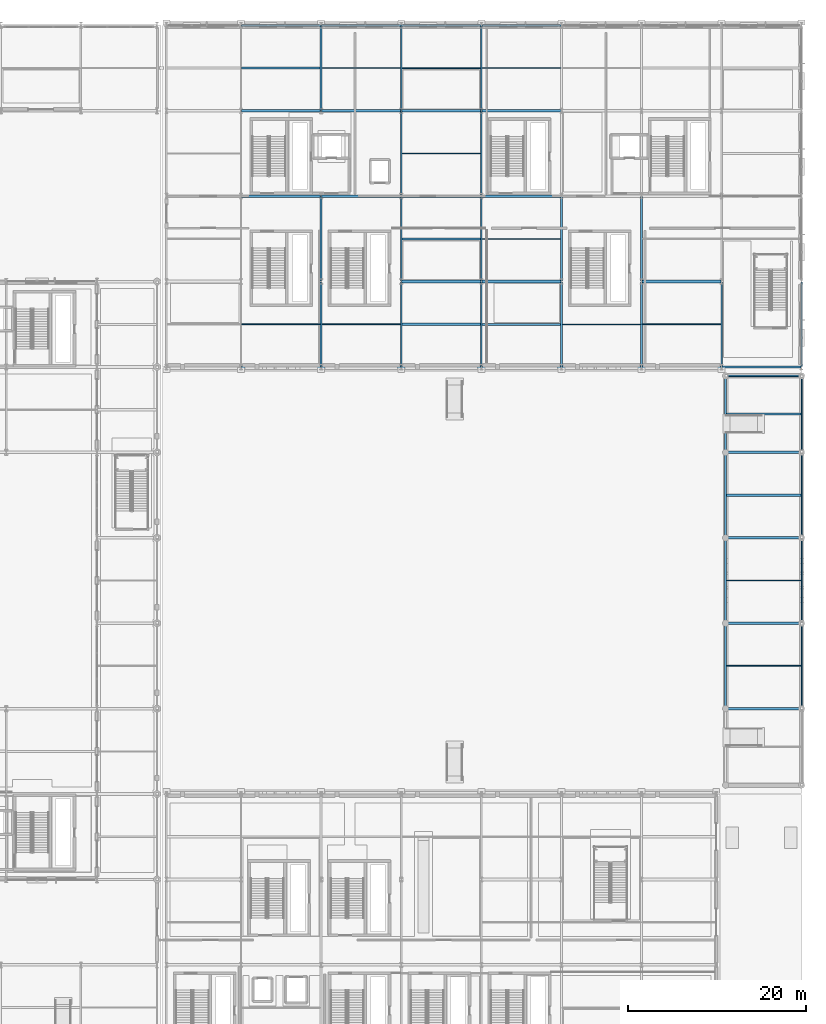
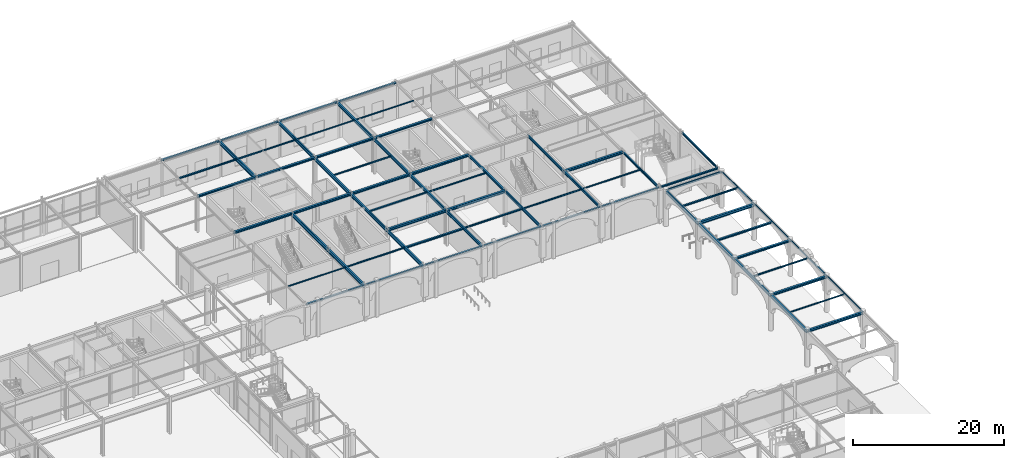
# One storey, part 46 of 113: 69 beams.
"""IFC4 building model written with IfcOpenShell, lengths in metres."""

from ifc_helpers import new_model, si_unit, direction, frame, origin, origin_2d, place, context, subcontext, project, spatial, hollow_rectangle, i_section, extrude, material, material_profile, profile_set, type_object, element, save


model = new_model("IFC4")

# Units and contexts
model_context = context("Model", 3, precision=1e-05, world=origin(), true_north=direction((0.0, 1.0)))
body_context = subcontext(model_context, "Body", "Model", "MODEL_VIEW")
ifc_project = project(units=[si_unit("LENGTHUNIT", "METRE"), si_unit("AREAUNIT", "SQUARE_METRE"), si_unit("VOLUMEUNIT", "CUBIC_METRE"), si_unit("PLANEANGLEUNIT", "RADIAN"), si_unit("MASSUNIT", "GRAM", prefix="KILO")], contexts=[model_context])

# Site, building, storey
site_placement = place(None, origin())
site = spatial("IfcSite", under=ifc_project, at=site_placement, CompositionType="ELEMENT")
building_placement = place(site_placement, origin())
building = spatial("IfcBuilding", under=site, at=building_placement, Name="Myrtia Square Station", CompositionType="ELEMENT")
storey_placement = place(building_placement, origin())
storey = spatial("IfcBuildingStorey", under=building, at=storey_placement, Name="L00", CompositionType="ELEMENT", Elevation=0.0)

# Beams
ifc_material = material(Name="Steel S355", Category="steel")
ifc_material_profile_1 = material_profile(ifc_material, i_section(OverallWidth=0.300048828125, OverallDepth=0.43994140625, WebThickness=0.011474609375, FlangeThickness=0.02099609375, FilletRadius=0.027099609375, at=origin_2d()), Name="HEA 450")
ifc_profile_set_1 = profile_set([ifc_material_profile_1], Name="Steel S355")
beam_type_1 = type_object("IfcBeamType", Name="BM-HEA450", PredefinedType="BEAM", material=ifc_profile_set_1)
beam_1_placement = place(storey_placement, frame((180.5, 76.800048828125, 5.544921875), z_axis=(1.0, 0.0, 0.0), x_axis=(0.0, 1.0, 0.0)))
element("IfcBeam", 1, at=beam_1_placement, inside=storey, type_object=beam_type_1, Name="Structural girder BMX-L00-0321", PredefinedType="BEAM", context=body_context, shape_type="SweptSolid", body=[
    extrude(i_section(OverallWidth=0.300048828125, OverallDepth=0.43994140625, WebThickness=0.011474609375, FlangeThickness=0.02099609375, FilletRadius=0.027099609375, at=origin_2d()), origin(), (0.0, 0.0, 1.0), 8.449951171875),
])
ifc_material_profile_2 = material_profile(ifc_material, i_section(OverallWidth=0.300048828125, OverallDepth=0.300048828125, WebThickness=0.010986328125, FlangeThickness=0.01904296875, FilletRadius=0.027099609375, at=origin_2d()), Name="HEB 300")
ifc_profile_set_2 = profile_set([ifc_material_profile_2], Name="Steel S355")
beam_type_2 = type_object("IfcBeamType", Name="BM-HEB300", PredefinedType="BEAM", material=ifc_profile_set_2)
beam_2_placement = place(storey_placement, frame((180.5, 67.199951171875, 5.614990234375), z_axis=(1.0, 0.0, 0.0), x_axis=(0.0, 1.0, 0.0)))
element("IfcBeam", 2, at=beam_2_placement, inside=storey, type_object=beam_type_2, Name="Structural girder BMX-L00-0320", PredefinedType="BEAM", context=body_context, shape_type="SweptSolid", body=[
    extrude(i_section(OverallWidth=0.300048828125, OverallDepth=0.300048828125, WebThickness=0.010986328125, FlangeThickness=0.01904296875, FilletRadius=0.027099609375, at=origin_2d()), origin(), (0.0, 0.0, 1.0), 8.449951171875),
])
for number, where, z_axis, x_axis, name in (
    (3, (126.050048828125, 115.199951171875, 5.60009765625), (1.0, 0.0, 0.0), (0.0, 1.0, 0.0), "Structural girder BMX-L00-0412"),
    (4, (135.050048828125, 115.199951171875, 5.60009765625), (1.0, 0.0, 0.0), (0.0, 1.0, 0.0), "Structural girder BMX-L00-0413"),
    (5, (144.050048828125, 115.199951171875, 5.60009765625), (1.0, 0.0, 0.0), (0.0, 1.0, 0.0), "Structural girder BMX-L00-0414"),
    (6, (153.050048828125, 115.199951171875, 5.60009765625), (1.0, 0.0, 0.0), (0.0, 1.0, 0.0), "Structural girder BMX-L00-0415"),
):
    element("IfcBeam", number, at=place(storey_placement, frame(where, z_axis=z_axis, x_axis=x_axis)), inside=storey, type_object=beam_type_2, Name=name, PredefinedType="BEAM", context=body_context, shape_type="SweptSolid", body=[
        extrude(i_section(OverallWidth=0.300048828125, OverallDepth=0.300048828125, WebThickness=0.010986328125, FlangeThickness=0.01904296875, FilletRadius=0.027099609375, at=origin_2d()), origin(), (0.0, 0.0, 1.0), 8.89990234375),
    ])
ifc_material_profile_3 = material_profile(ifc_material, i_section(OverallWidth=0.300048828125, OverallDepth=0.360107421875, WebThickness=0.012451171875, FlangeThickness=0.0224609375, FilletRadius=0.027099609375, at=origin_2d()), Name="HEB 360")
ifc_profile_set_3 = profile_set([ifc_material_profile_3], Name="Steel S355")
beam_type_3 = type_object("IfcBeamType", Name="BM-HEB360", PredefinedType="BEAM", material=ifc_profile_set_3)
beam_3_placement = place(storey_placement, frame((180.5, 57.60009765625, 5.5849609375), z_axis=(1.0, 0.0, 0.0), x_axis=(0.0, 1.0, 0.0)))
element("IfcBeam", 7, at=beam_3_placement, inside=storey, type_object=beam_type_3, Name="Structural girder BMX-L00-0319", PredefinedType="BEAM", context=body_context, shape_type="SweptSolid", body=[
    extrude(i_section(OverallWidth=0.300048828125, OverallDepth=0.360107421875, WebThickness=0.012451171875, FlangeThickness=0.0224609375, FilletRadius=0.027099609375, at=origin_2d()), origin(), (0.0, 0.0, 1.0), 8.449951171875),
])
for number, where, z_axis, x_axis, name in (
    (8, (126.050048828125, 105.60009765625, 5.570068359375), (1.0, 0.0, 0.0), (0.0, 1.0, 0.0), "Structural girder BMX-L00-0399"),
    (9, (135.050048828125, 105.60009765625, 5.570068359375), (1.0, 0.0, 0.0), (0.0, 1.0, 0.0), "Structural girder BMX-L00-0400"),
    (10, (144.050048828125, 105.60009765625, 5.570068359375), (1.0, 0.0, 0.0), (0.0, 1.0, 0.0), "Structural girder BMX-L00-0401"),
    (11, (153.050048828125, 105.60009765625, 5.570068359375), (1.0, 0.0, 0.0), (0.0, 1.0, 0.0), "Structural girder BMX-L00-0402"),
):
    element("IfcBeam", number, at=place(storey_placement, frame(where, z_axis=z_axis, x_axis=x_axis)), inside=storey, type_object=beam_type_3, Name=name, PredefinedType="BEAM", context=body_context, shape_type="SweptSolid", body=[
        extrude(i_section(OverallWidth=0.300048828125, OverallDepth=0.360107421875, WebThickness=0.012451171875, FlangeThickness=0.0224609375, FilletRadius=0.027099609375, at=origin_2d()), origin(), (0.0, 0.0, 1.0), 8.89990234375),
    ])
ifc_material_profile_4 = material_profile(ifc_material, i_section(OverallWidth=0.300048828125, OverallDepth=0.39990234375, WebThickness=0.013427734375, FlangeThickness=0.02392578125, FilletRadius=0.027099609375, at=origin_2d()), Name="HEB 400")
ifc_profile_set_4 = profile_set([ifc_material_profile_4], Name="Steel S355")
beam_type_4 = type_object("IfcBeamType", Name="BM-HEB400", PredefinedType="BEAM", material=ifc_profile_set_4)
beam_4_placement = place(storey_placement, frame((180.5, 48.0, 5.56494140625), z_axis=(1.0, 0.0, 0.0), x_axis=(0.0, 1.0, 0.0)))
element("IfcBeam", 12, at=beam_4_placement, inside=storey, type_object=beam_type_4, Name="Structural girder BMX-L00-0318", PredefinedType="BEAM", context=body_context, shape_type="SweptSolid", body=[
    extrude(i_section(OverallWidth=0.300048828125, OverallDepth=0.39990234375, WebThickness=0.013427734375, FlangeThickness=0.02392578125, FilletRadius=0.027099609375, at=origin_2d()), origin(), (0.0, 0.0, 1.0), 8.449951171875),
])
for number, where, z_axis, x_axis, name in (
    (13, (144.050048828125, 96.0, 5.550048828125), (1.0, 0.0, 0.0), (0.0, 1.0, 0.0), "Structural girder BMX-L00-0395"),
    (14, (153.050048828125, 96.0, 5.550048828125), (1.0, 0.0, 0.0), (0.0, 1.0, 0.0), "Structural girder BMX-L00-0396"),
    (15, (171.050048828125, 96.0, 5.550048828125), (1.0, 0.0, 0.0), (0.0, 1.0, 0.0), "Structural girder BMX-L00-0397"),
):
    element("IfcBeam", number, at=place(storey_placement, frame(where, z_axis=z_axis, x_axis=x_axis)), inside=storey, type_object=beam_type_4, Name=name, PredefinedType="BEAM", context=body_context, shape_type="SweptSolid", body=[
        extrude(i_section(OverallWidth=0.300048828125, OverallDepth=0.39990234375, WebThickness=0.013427734375, FlangeThickness=0.02392578125, FilletRadius=0.027099609375, at=origin_2d()), origin(), (0.0, 0.0, 1.0), 8.89990234375),
    ])
ifc_material_profile_5 = material_profile(ifc_material, i_section(OverallWidth=0.159912109375, OverallDepth=0.330078125, WebThickness=0.007568359375, FlangeThickness=0.011474609375, FilletRadius=0.01806640625, at=origin_2d()), Name="IPE 330")
ifc_profile_set_5 = profile_set([ifc_material_profile_5], Name="Steel S355")
beam_type_5 = type_object("IfcBeamType", Name="BM-IPE330", PredefinedType="BEAM", material=ifc_profile_set_5)
beam_5_placement = place(storey_placement, frame((189.0, 86.449951171875, 5.5849609375), z_axis=(0.0, 1.0, 0.0), x_axis=(-1.0, 0.0, 0.0)))
element("IfcBeam", 16, at=beam_5_placement, inside=storey, type_object=beam_type_5, Name="Structural girder BMY-L00-0456", PredefinedType="BEAM", context=body_context, shape_type="SweptSolid", body=[
    extrude(i_section(OverallWidth=0.159912109375, OverallDepth=0.330078125, WebThickness=0.007568359375, FlangeThickness=0.011474609375, FilletRadius=0.01806640625, at=origin_2d()), origin(), (0.0, 0.0, 1.0), 9.5),
])
ifc_material_profile_6 = material_profile(ifc_material, i_section(OverallWidth=0.169921875, OverallDepth=0.360107421875, WebThickness=0.008056640625, FlangeThickness=0.0126953125, FilletRadius=0.01806640625, at=origin_2d()), Name="IPE 360")
ifc_profile_set_6 = profile_set([ifc_material_profile_6], Name="Steel S355")
beam_type_6 = type_object("IfcBeamType", Name="BM-IPE360", PredefinedType="BEAM", material=ifc_profile_set_6)
beam_6_placement = place(storey_placement, frame((180.0, 86.449951171875, 5.570068359375), z_axis=(0.0, 1.0, 0.0), x_axis=(-1.0, 0.0, 0.0)))
element("IfcBeam", 17, at=beam_6_placement, inside=storey, type_object=beam_type_6, Name="Structural girder BMY-L00-0452", PredefinedType="BEAM", context=body_context, shape_type="SweptSolid", body=[
    extrude(i_section(OverallWidth=0.169921875, OverallDepth=0.360107421875, WebThickness=0.008056640625, FlangeThickness=0.0126953125, FilletRadius=0.01806640625, at=origin_2d()), origin(), (0.0, 0.0, 1.0), 9.5),
])
ifc_material_profile_7 = material_profile(ifc_material, i_section(OverallWidth=0.179931640625, OverallDepth=0.39990234375, WebThickness=0.008544921875, FlangeThickness=0.013427734375, FilletRadius=0.02099609375, at=origin_2d()), Name="IPE 400")
ifc_profile_set_7 = profile_set([ifc_material_profile_7], Name="Steel S355")
beam_type_7 = type_object("IfcBeamType", Name="BM-IPE400", PredefinedType="BEAM", material=ifc_profile_set_7)
for number, where, z_axis, x_axis, name in (
    (18, (171.0, 86.449951171875, 5.550048828125), (0.0, 1.0, 0.0), (-1.0, 0.0, 0.0), "Structural girder BMY-L00-0448"),
    (19, (171.0, 96.050048828125, 5.550048828125), (0.0, 1.0, 0.0), (-1.0, 0.0, 0.0), "Structural girder BMY-L00-0449"),
):
    element("IfcBeam", number, at=place(storey_placement, frame(where, z_axis=z_axis, x_axis=x_axis)), inside=storey, type_object=beam_type_7, Name=name, PredefinedType="BEAM", context=body_context, shape_type="SweptSolid", body=[
        extrude(i_section(OverallWidth=0.179931640625, OverallDepth=0.39990234375, WebThickness=0.008544921875, FlangeThickness=0.013427734375, FilletRadius=0.02099609375, at=origin_2d()), origin(), (0.0, 0.0, 1.0), 9.5),
    ])
ifc_material_profile_8 = material_profile(ifc_material, i_section(OverallWidth=0.18994140625, OverallDepth=0.449951171875, WebThickness=0.009521484375, FlangeThickness=0.0146484375, FilletRadius=0.02099609375, at=origin_2d()), Name="IPE 450")
ifc_profile_set_8 = profile_set([ifc_material_profile_8], Name="Steel S355")
beam_type_8 = type_object("IfcBeamType", Name="BM-IPE450", PredefinedType="BEAM", material=ifc_profile_set_8)
for number, where, z_axis, x_axis, name in (
    (20, (162.0, 86.449951171875, 5.52490234375), (0.0, 1.0, 0.0), (-1.0, 0.0, 0.0), "Structural girder BMY-L00-0444"),
    (21, (162.0, 96.050048828125, 5.52490234375), (0.0, 1.0, 0.0), (-1.0, 0.0, 0.0), "Structural girder BMY-L00-0445"),
):
    element("IfcBeam", number, at=place(storey_placement, frame(where, z_axis=z_axis, x_axis=x_axis)), inside=storey, type_object=beam_type_8, Name=name, PredefinedType="BEAM", context=body_context, shape_type="SweptSolid", body=[
        extrude(i_section(OverallWidth=0.18994140625, OverallDepth=0.449951171875, WebThickness=0.009521484375, FlangeThickness=0.0146484375, FilletRadius=0.02099609375, at=origin_2d()), origin(), (0.0, 0.0, 1.0), 9.5),
    ])
ifc_material_profile_9 = material_profile(ifc_material, i_section(OverallWidth=0.199951171875, OverallDepth=0.5, WebThickness=0.01025390625, FlangeThickness=0.01611328125, FilletRadius=0.02099609375, at=origin_2d()), Name="IPE 500")
ifc_profile_set_9 = profile_set([ifc_material_profile_9], Name="Steel S355")
beam_type_9 = type_object("IfcBeamType", Name="BM-IPE500", PredefinedType="BEAM", material=ifc_profile_set_9)
for number, where, z_axis, x_axis, name in (
    (22, (153.0, 86.449951171875, 5.5), (0.0, 1.0, 0.0), (-1.0, 0.0, 0.0), "Structural girder BMY-L00-0440"),
    (23, (153.0, 96.050048828125, 5.5), (0.0, 1.0, 0.0), (-1.0, 0.0, 0.0), "Structural girder BMY-L00-0441"),
    (24, (153.0, 105.64990234375, 5.5), (0.0, 1.0, 0.0), (-1.0, 0.0, 0.0), "Structural girder BMY-L00-0442"),
    (25, (153.0, 115.25, 5.5), (0.0, 1.0, 0.0), (-1.0, 0.0, 0.0), "Structural girder BMY-L00-0443"),
):
    element("IfcBeam", number, at=place(storey_placement, frame(where, z_axis=z_axis, x_axis=x_axis)), inside=storey, type_object=beam_type_9, Name=name, PredefinedType="BEAM", context=body_context, shape_type="SweptSolid", body=[
        extrude(i_section(OverallWidth=0.199951171875, OverallDepth=0.5, WebThickness=0.01025390625, FlangeThickness=0.01611328125, FilletRadius=0.02099609375, at=origin_2d()), origin(), (0.0, 0.0, 1.0), 9.5),
    ])
ifc_material_profile_10 = material_profile(ifc_material, i_section(OverallWidth=0.2099609375, OverallDepth=0.550048828125, WebThickness=0.010986328125, FlangeThickness=0.01708984375, FilletRadius=0.02392578125, at=origin_2d()), Name="IPE 550")
ifc_profile_set_10 = profile_set([ifc_material_profile_10], Name="Steel S355")
beam_type_10 = type_object("IfcBeamType", Name="BM-IPE550", PredefinedType="BEAM", material=ifc_profile_set_10)
for number, where, z_axis, x_axis, name in (
    (26, (180.449951171875, 48.050048828125, 5.489990234375), (0.0, 1.0, 0.0), (-1.0, 0.0, 0.0), "Structural girder BMY-L00-0323"),
    (27, (180.449951171875, 57.64990234375, 5.489990234375), (0.0, 1.0, 0.0), (-1.0, 0.0, 0.0), "Structural girder BMY-L00-0324"),
    (28, (180.449951171875, 67.25, 5.489990234375), (0.0, 1.0, 0.0), (-1.0, 0.0, 0.0), "Structural girder BMY-L00-0325"),
):
    element("IfcBeam", number, at=place(storey_placement, frame(where, z_axis=z_axis, x_axis=x_axis)), inside=storey, type_object=beam_type_10, Name=name, PredefinedType="BEAM", context=body_context, shape_type="SweptSolid", body=[
        extrude(i_section(OverallWidth=0.2099609375, OverallDepth=0.550048828125, WebThickness=0.010986328125, FlangeThickness=0.01708984375, FilletRadius=0.02392578125, at=origin_2d()), origin(), (0.0, 0.0, 1.0), 9.5),
    ])
beam_7_placement = place(storey_placement, frame((180.449951171875, 76.85009765625, 5.489990234375), z_axis=(0.0, 1.0, 0.0), x_axis=(-1.0, 0.0, 0.0)))
element("IfcBeam", 29, at=beam_7_placement, inside=storey, type_object=beam_type_10, Name="Structural girder BMY-L00-0326", PredefinedType="BEAM", context=body_context, shape_type="SweptSolid", body=[
    extrude(i_section(OverallWidth=0.2099609375, OverallDepth=0.550048828125, WebThickness=0.010986328125, FlangeThickness=0.01708984375, FilletRadius=0.02392578125, at=origin_2d()), origin(), (0.0, 0.0, 1.0), 8.5),
])
for number, where, z_axis, x_axis, name in (
    (30, (144.0, 86.449951171875, 5.47509765625), (0.0, 1.0, 0.0), (-1.0, 0.0, 0.0), "Structural girder BMY-L00-0436"),
    (31, (144.0, 96.050048828125, 5.47509765625), (0.0, 1.0, 0.0), (-1.0, 0.0, 0.0), "Structural girder BMY-L00-0437"),
    (32, (144.0, 105.64990234375, 5.47509765625), (0.0, 1.0, 0.0), (-1.0, 0.0, 0.0), "Structural girder BMY-L00-0438"),
    (33, (144.0, 115.25, 5.47509765625), (0.0, 1.0, 0.0), (-1.0, 0.0, 0.0), "Structural girder BMY-L00-0439"),
):
    element("IfcBeam", number, at=place(storey_placement, frame(where, z_axis=z_axis, x_axis=x_axis)), inside=storey, type_object=beam_type_10, Name=name, PredefinedType="BEAM", context=body_context, shape_type="SweptSolid", body=[
        extrude(i_section(OverallWidth=0.2099609375, OverallDepth=0.550048828125, WebThickness=0.010986328125, FlangeThickness=0.01708984375, FilletRadius=0.02392578125, at=origin_2d()), origin(), (0.0, 0.0, 1.0), 9.5),
    ])
ifc_material_profile_11 = material_profile(ifc_material, i_section(OverallWidth=0.219970703125, OverallDepth=0.60009765625, WebThickness=0.011962890625, FlangeThickness=0.01904296875, FilletRadius=0.02392578125, at=origin_2d()), Name="IPE 600")
ifc_profile_set_11 = profile_set([ifc_material_profile_11], Name="Steel S355")
beam_type_11 = type_object("IfcBeamType", Name="BM-IPE600", PredefinedType="BEAM", material=ifc_profile_set_11)
for number, where, z_axis, x_axis, name in (
    (34, (135.0, 86.449951171875, 5.449951171875), (0.0, 1.0, 0.0), (-1.0, 0.0, 0.0), "Structural girder BMY-L00-0433"),
    (35, (135.0, 96.050048828125, 5.449951171875), (0.0, 1.0, 0.0), (-1.0, 0.0, 0.0), "Structural girder BMY-L00-0434"),
    (36, (135.0, 115.25, 5.449951171875), (0.0, 1.0, 0.0), (-1.0, 0.0, 0.0), "Structural girder BMY-L00-0435"),
):
    element("IfcBeam", number, at=place(storey_placement, frame(where, z_axis=z_axis, x_axis=x_axis)), inside=storey, type_object=beam_type_11, Name=name, PredefinedType="BEAM", context=body_context, shape_type="SweptSolid", body=[
        extrude(i_section(OverallWidth=0.219970703125, OverallDepth=0.60009765625, WebThickness=0.011962890625, FlangeThickness=0.01904296875, FilletRadius=0.02392578125, at=origin_2d()), origin(), (0.0, 0.0, 1.0), 9.5),
    ])
ifc_material_profile_12 = material_profile(ifc_material, i_section(OverallWidth=0.219970703125, OverallDepth=0.2099609375, WebThickness=0.007080078125, FlangeThickness=0.010986328125, FilletRadius=0.01806640625, at=origin_2d()), Name="HEA 220")
ifc_profile_set_12 = profile_set([ifc_material_profile_12], Name="Steel S355")
beam_type_12 = type_object("IfcBeamType", Name="JST-HEA220", PredefinedType="JOIST", material=ifc_profile_set_12)
beam_8_placement = place(storey_placement, frame((180.554931640625, 81.10009765625, 5.659912109375), z_axis=(1.0, 0.0, 0.0), x_axis=(0.0, 1.0, 0.0)))
element("IfcBeam", 37, at=beam_8_placement, inside=storey, type_object=beam_type_12, Name="Composite floor joist L00-0032", PredefinedType="JOIST", context=body_context, shape_type="SweptSolid", body=[
    extrude(i_section(OverallWidth=0.219970703125, OverallDepth=0.2099609375, WebThickness=0.007080078125, FlangeThickness=0.010986328125, FilletRadius=0.01806640625, at=origin_2d()), origin(), (0.0, 0.0, 1.0), 8.3701171875),
])
beam_9_placement = place(storey_placement, frame((126.0673828125, 120.0, 5.64501953125), z_axis=(1.0, 0.0, 0.0), x_axis=(0.0, 1.0, 0.0)))
element("IfcBeam", 38, at=beam_9_placement, inside=storey, type_object=beam_type_12, Name="Composite floor joist L00-0074", PredefinedType="JOIST", context=body_context, shape_type="SweptSolid", body=[
    extrude(i_section(OverallWidth=0.219970703125, OverallDepth=0.2099609375, WebThickness=0.007080078125, FlangeThickness=0.010986328125, FilletRadius=0.01806640625, at=origin_2d()), origin(), (0.0, 0.0, 1.0), 8.822509765625),
])
beam_10_placement = place(storey_placement, frame((144.10498046875, 100.800048828125, 5.64501953125), z_axis=(1.0, 0.0, 0.0), x_axis=(0.0, 1.0, 0.0)))
element("IfcBeam", 39, at=beam_10_placement, inside=storey, type_object=beam_type_12, Name="Composite floor joist L00-0078", PredefinedType="JOIST", context=body_context, shape_type="SweptSolid", body=[
    extrude(i_section(OverallWidth=0.219970703125, OverallDepth=0.2099609375, WebThickness=0.007080078125, FlangeThickness=0.010986328125, FilletRadius=0.01806640625, at=origin_2d()), origin(), (0.0, 0.0, 1.0), 8.794921875),
])
beam_11_placement = place(storey_placement, frame((153.10009765625, 91.199951171875, 5.64501953125), z_axis=(1.0, 0.0, 0.0), x_axis=(0.0, 1.0, 0.0)))
element("IfcBeam", 40, at=beam_11_placement, inside=storey, type_object=beam_type_12, Name="Composite floor joist L00-0081", PredefinedType="JOIST", context=body_context, shape_type="SweptSolid", body=[
    extrude(i_section(OverallWidth=0.219970703125, OverallDepth=0.2099609375, WebThickness=0.007080078125, FlangeThickness=0.010986328125, FilletRadius=0.01806640625, at=origin_2d()), origin(), (0.0, 0.0, 1.0), 8.804931640625),
])
ifc_material_profile_13 = material_profile(ifc_material, i_section(OverallWidth=0.260009765625, OverallDepth=0.25, WebThickness=0.007568359375, FlangeThickness=0.012451171875, FilletRadius=0.02392578125, at=origin_2d()), Name="HEA 260")
ifc_profile_set_13 = profile_set([ifc_material_profile_13], Name="Steel S355")
beam_type_13 = type_object("IfcBeamType", Name="JST-HEA260", PredefinedType="JOIST", material=ifc_profile_set_13)
beam_12_placement = place(storey_placement, frame((180.554931640625, 72.0, 5.639892578125), z_axis=(1.0, 0.0, 0.0), x_axis=(0.0, 1.0, 0.0)))
element("IfcBeam", 41, at=beam_12_placement, inside=storey, type_object=beam_type_13, Name="Composite floor joist L00-0031", PredefinedType="JOIST", context=body_context, shape_type="SweptSolid", body=[
    extrude(i_section(OverallWidth=0.260009765625, OverallDepth=0.25, WebThickness=0.007568359375, FlangeThickness=0.012451171875, FilletRadius=0.02392578125, at=origin_2d()), origin(), (0.0, 0.0, 1.0), 8.3701171875),
])
beam_13_placement = place(storey_placement, frame((144.10498046875, 91.199951171875, 5.625), z_axis=(1.0, 0.0, 0.0), x_axis=(0.0, 1.0, 0.0)))
element("IfcBeam", 42, at=beam_13_placement, inside=storey, type_object=beam_type_13, Name="Composite floor joist L00-0077", PredefinedType="JOIST", context=body_context, shape_type="SweptSolid", body=[
    extrude(i_section(OverallWidth=0.260009765625, OverallDepth=0.25, WebThickness=0.007568359375, FlangeThickness=0.012451171875, FilletRadius=0.02392578125, at=origin_2d()), origin(), (0.0, 0.0, 1.0), 8.794921875),
])
ifc_material_profile_14 = material_profile(ifc_material, i_section(OverallWidth=0.091064453125, OverallDepth=0.179931640625, WebThickness=0.00537109375, FlangeThickness=0.008056640625, FilletRadius=0.009033203125, at=origin_2d()), Name="IPE 180")
ifc_profile_set_14 = profile_set([ifc_material_profile_14], Name="Steel S355")
beam_type_14 = type_object("IfcBeamType", Name="JST-IPE180", PredefinedType="JOIST", material=ifc_profile_set_14)
beam_14_placement = place(storey_placement, frame((180.554931640625, 62.39990234375, 5.675048828125), z_axis=(1.0, 0.0, 0.0), x_axis=(0.0, 1.0, 0.0)))
element("IfcBeam", 43, at=beam_14_placement, inside=storey, type_object=beam_type_14, Name="Composite floor joist L00-0030", PredefinedType="JOIST", context=body_context, shape_type="SweptSolid", body=[
    extrude(i_section(OverallWidth=0.091064453125, OverallDepth=0.179931640625, WebThickness=0.00537109375, FlangeThickness=0.008056640625, FilletRadius=0.009033203125, at=origin_2d()), origin(), (0.0, 0.0, 1.0), 8.3701171875),
])
beam_15_placement = place(storey_placement, frame((135.110107421875, 91.199951171875, 5.659912109375), z_axis=(1.0, 0.0, 0.0), x_axis=(0.0, 1.0, 0.0)))
element("IfcBeam", 44, at=beam_15_placement, inside=storey, type_object=beam_type_14, Name="Composite floor joist L00-0075", PredefinedType="JOIST", context=body_context, shape_type="SweptSolid", body=[
    extrude(i_section(OverallWidth=0.091064453125, OverallDepth=0.179931640625, WebThickness=0.00537109375, FlangeThickness=0.008056640625, FilletRadius=0.009033203125, at=origin_2d()), origin(), (0.0, 0.0, 1.0), 8.784912109375),
])
ifc_material_profile_15 = material_profile(ifc_material, i_section(OverallWidth=0.10009765625, OverallDepth=0.199951171875, WebThickness=0.005615234375, FlangeThickness=0.008544921875, FilletRadius=0.011962890625, at=origin_2d()), Name="IPE 200")
ifc_profile_set_15 = profile_set([ifc_material_profile_15], Name="Steel S355")
beam_type_15 = type_object("IfcBeamType", Name="JST-IPE200", PredefinedType="JOIST", material=ifc_profile_set_15)
beam_16_placement = place(storey_placement, frame((180.554931640625, 52.800048828125, 5.6650390625), z_axis=(1.0, 0.0, 0.0), x_axis=(0.0, 1.0, 0.0)))
element("IfcBeam", 45, at=beam_16_placement, inside=storey, type_object=beam_type_15, Name="Composite floor joist L00-0029", PredefinedType="JOIST", context=body_context, shape_type="SweptSolid", body=[
    extrude(i_section(OverallWidth=0.10009765625, OverallDepth=0.199951171875, WebThickness=0.005615234375, FlangeThickness=0.008544921875, FilletRadius=0.011962890625, at=origin_2d()), origin(), (0.0, 0.0, 1.0), 8.3701171875),
])
beam_17_placement = place(storey_placement, frame((126.0673828125, 91.199951171875, 5.64990234375), z_axis=(1.0, 0.0, 0.0), x_axis=(0.0, 1.0, 0.0)))
element("IfcBeam", 46, at=beam_17_placement, inside=storey, type_object=beam_type_15, Name="Composite floor joist L00-0073", PredefinedType="JOIST", context=body_context, shape_type="SweptSolid", body=[
    extrude(i_section(OverallWidth=0.10009765625, OverallDepth=0.199951171875, WebThickness=0.005615234375, FlangeThickness=0.008544921875, FilletRadius=0.011962890625, at=origin_2d()), origin(), (0.0, 0.0, 1.0), 8.822509765625),
])
beam_18_placement = place(storey_placement, frame((153.10009765625, 120.0, 5.64990234375), z_axis=(1.0, 0.0, 0.0), x_axis=(0.0, 1.0, 0.0)))
element("IfcBeam", 47, at=beam_18_placement, inside=storey, type_object=beam_type_15, Name="Composite floor joist L00-0083", PredefinedType="JOIST", context=body_context, shape_type="SweptSolid", body=[
    extrude(i_section(OverallWidth=0.10009765625, OverallDepth=0.199951171875, WebThickness=0.005615234375, FlangeThickness=0.008544921875, FilletRadius=0.011962890625, at=origin_2d()), origin(), (0.0, 0.0, 1.0), 8.804931640625),
])
ifc_material_profile_16 = material_profile(ifc_material, i_section(OverallWidth=0.110107421875, OverallDepth=0.219970703125, WebThickness=0.005859375, FlangeThickness=0.00927734375, FilletRadius=0.011962890625, at=origin_2d()), Name="IPE 220")
ifc_profile_set_16 = profile_set([ifc_material_profile_16], Name="Steel S355")
beam_type_16 = type_object("IfcBeamType", Name="JST-IPE220", PredefinedType="JOIST", material=ifc_profile_set_16)
beam_19_placement = place(storey_placement, frame((144.10498046875, 120.0, 5.639892578125), z_axis=(1.0, 0.0, 0.0), x_axis=(0.0, 1.0, 0.0)))
element("IfcBeam", 48, at=beam_19_placement, inside=storey, type_object=beam_type_16, Name="Composite floor joist L00-0080", PredefinedType="JOIST", context=body_context, shape_type="SweptSolid", body=[
    extrude(i_section(OverallWidth=0.110107421875, OverallDepth=0.219970703125, WebThickness=0.005859375, FlangeThickness=0.00927734375, FilletRadius=0.011962890625, at=origin_2d()), origin(), (0.0, 0.0, 1.0), 8.794921875),
])
beam_20_placement = place(storey_placement, frame((171.090087890625, 91.199951171875, 5.639892578125), z_axis=(1.0, 0.0, 0.0), x_axis=(0.0, 1.0, 0.0)))
element("IfcBeam", 49, at=beam_20_placement, inside=storey, type_object=beam_type_16, Name="Composite floor joist L00-0086", PredefinedType="JOIST", context=body_context, shape_type="SweptSolid", body=[
    extrude(i_section(OverallWidth=0.110107421875, OverallDepth=0.219970703125, WebThickness=0.005859375, FlangeThickness=0.00927734375, FilletRadius=0.011962890625, at=origin_2d()), origin(), (0.0, 0.0, 1.0), 8.824951171875),
])
ifc_material_profile_17 = material_profile(ifc_material, i_section(OverallWidth=0.1201171875, OverallDepth=0.239990234375, WebThickness=0.006103515625, FlangeThickness=0.009765625, FilletRadius=0.014892578125, at=origin_2d()), Name="IPE 240")
ifc_profile_set_17 = profile_set([ifc_material_profile_17], Name="Steel S355")
beam_type_17 = type_object("IfcBeamType", Name="JST-IPE240", PredefinedType="JOIST", material=ifc_profile_set_17)
beam_21_placement = place(storey_placement, frame((135.110107421875, 120.0, 5.6298828125), z_axis=(1.0, 0.0, 0.0), x_axis=(0.0, 1.0, 0.0)))
element("IfcBeam", 50, at=beam_21_placement, inside=storey, type_object=beam_type_17, Name="Composite floor joist L00-0076", PredefinedType="JOIST", context=body_context, shape_type="SweptSolid", body=[
    extrude(i_section(OverallWidth=0.1201171875, OverallDepth=0.239990234375, WebThickness=0.006103515625, FlangeThickness=0.009765625, FilletRadius=0.014892578125, at=origin_2d()), origin(), (0.0, 0.0, 1.0), 8.784912109375),
])
beam_22_placement = place(storey_placement, frame((144.10498046875, 110.39990234375, 5.6298828125), z_axis=(1.0, 0.0, 0.0), x_axis=(0.0, 1.0, 0.0)))
element("IfcBeam", 51, at=beam_22_placement, inside=storey, type_object=beam_type_17, Name="Composite floor joist L00-0079", PredefinedType="JOIST", context=body_context, shape_type="SweptSolid", body=[
    extrude(i_section(OverallWidth=0.1201171875, OverallDepth=0.239990234375, WebThickness=0.006103515625, FlangeThickness=0.009765625, FilletRadius=0.014892578125, at=origin_2d()), origin(), (0.0, 0.0, 1.0), 8.794921875),
])
beam_23_placement = place(storey_placement, frame((153.10009765625, 100.800048828125, 5.6298828125), z_axis=(1.0, 0.0, 0.0), x_axis=(0.0, 1.0, 0.0)))
element("IfcBeam", 52, at=beam_23_placement, inside=storey, type_object=beam_type_17, Name="Composite floor joist L00-0082", PredefinedType="JOIST", context=body_context, shape_type="SweptSolid", body=[
    extrude(i_section(OverallWidth=0.1201171875, OverallDepth=0.239990234375, WebThickness=0.006103515625, FlangeThickness=0.009765625, FilletRadius=0.014892578125, at=origin_2d()), origin(), (0.0, 0.0, 1.0), 8.804931640625),
])
beam_24_placement = place(storey_placement, frame((162.094970703125, 91.199951171875, 5.6298828125), z_axis=(1.0, 0.0, 0.0), x_axis=(0.0, 1.0, 0.0)))
element("IfcBeam", 53, at=beam_24_placement, inside=storey, type_object=beam_type_17, Name="Composite floor joist L00-0084", PredefinedType="JOIST", context=body_context, shape_type="SweptSolid", body=[
    extrude(i_section(OverallWidth=0.1201171875, OverallDepth=0.239990234375, WebThickness=0.006103515625, FlangeThickness=0.009765625, FilletRadius=0.014892578125, at=origin_2d()), origin(), (0.0, 0.0, 1.0), 8.81494140625),
])
ifc_material_profile_18 = material_profile(ifc_material, i_section(OverallWidth=0.239990234375, OverallDepth=0.239990234375, WebThickness=0.010009765625, FlangeThickness=0.01708984375, FilletRadius=0.02099609375, at=origin_2d()), Name="HEB 240")
ifc_profile_set_18 = profile_set([ifc_material_profile_18], Name="Steel S355")
beam_type_18 = type_object("IfcBeamType", Name="SPN-HEB240", PredefinedType="SPANDREL", material=ifc_profile_set_18)
for number, where, z_axis, x_axis, name in (
    (54, (126.050048828125, 86.39990234375, 5.6298828125), (1.0, 0.0, 0.0), (0.0, 1.0, 0.0), "Structural girder SPN-L00-0118"),
    (55, (135.050048828125, 86.39990234375, 5.6298828125), (1.0, 0.0, 0.0), (0.0, 1.0, 0.0), "Structural girder SPN-L00-0119"),
    (56, (144.050048828125, 86.39990234375, 5.6298828125), (1.0, 0.0, 0.0), (0.0, 1.0, 0.0), "Structural girder SPN-L00-0120"),
    (57, (153.050048828125, 86.39990234375, 5.6298828125), (1.0, 0.0, 0.0), (0.0, 1.0, 0.0), "Structural girder SPN-L00-0121"),
    (58, (162.050048828125, 86.39990234375, 5.6298828125), (1.0, 0.0, 0.0), (0.0, 1.0, 0.0), "Structural girder SPN-L00-0122"),
    (59, (171.050048828125, 86.39990234375, 5.6298828125), (1.0, 0.0, 0.0), (0.0, 1.0, 0.0), "Structural girder SPN-L00-0123"),
    (60, (180.050048828125, 86.39990234375, 5.6298828125), (1.0, 0.0, 0.0), (0.0, 1.0, 0.0), "Structural girder SPN-L00-0124"),
    (61, (126.050048828125, 124.800048828125, 5.6298828125), (1.0, 0.0, 0.0), (0.0, 1.0, 0.0), "Structural girder SPN-L00-0131"),
    (62, (135.050048828125, 124.800048828125, 5.6298828125), (1.0, 0.0, 0.0), (0.0, 1.0, 0.0), "Structural girder SPN-L00-0132"),
    (63, (144.050048828125, 124.800048828125, 5.6298828125), (1.0, 0.0, 0.0), (0.0, 1.0, 0.0), "Structural girder SPN-L00-0133"),
    (64, (153.050048828125, 124.800048828125, 5.6298828125), (1.0, 0.0, 0.0), (0.0, 1.0, 0.0), "Structural girder SPN-L00-0134"),
):
    element("IfcBeam", number, at=place(storey_placement, frame(where, z_axis=z_axis, x_axis=x_axis)), inside=storey, type_object=beam_type_18, Name=name, PredefinedType="SPANDREL", context=body_context, shape_type="SweptSolid", body=[
        extrude(i_section(OverallWidth=0.239990234375, OverallDepth=0.239990234375, WebThickness=0.010009765625, FlangeThickness=0.01708984375, FilletRadius=0.02099609375, at=origin_2d()), origin(), (0.0, 0.0, 1.0), 8.89990234375),
    ])
ifc_material_profile_19 = material_profile(ifc_material, hollow_rectangle(XDim=0.14990234375, YDim=0.25, WallThickness=0.012451171875, InnerFilletRadius=0.012451171875, OuterFilletRadius=0.02490234375, at=origin_2d()), Name="RHS 250x150x12.5")
ifc_profile_set_19 = profile_set([ifc_material_profile_19], Name="Steel S355")
beam_type_19 = type_object("IfcBeamType", Name="SPN-RHS250", PredefinedType="SPANDREL", material=ifc_profile_set_19)
for number, where, z_axis, x_axis, name in (
    (65, (189.0, 48.050048828125, 5.639892578125), (0.0, 1.0, 0.0), (-1.0, 0.0, 0.0), "Structural girder SPNY-L00-0090"),
    (66, (189.0, 57.64990234375, 5.639892578125), (0.0, 1.0, 0.0), (-1.0, 0.0, 0.0), "Structural girder SPNY-L00-0091"),
    (67, (189.0, 67.25, 5.639892578125), (0.0, 1.0, 0.0), (-1.0, 0.0, 0.0), "Structural girder SPNY-L00-0092"),
):
    element("IfcBeam", number, at=place(storey_placement, frame(where, z_axis=z_axis, x_axis=x_axis)), inside=storey, type_object=beam_type_19, Name=name, PredefinedType="SPANDREL", context=body_context, shape_type="SweptSolid", body=[
        extrude(hollow_rectangle(XDim=0.14990234375, YDim=0.25, WallThickness=0.012451171875, InnerFilletRadius=0.012451171875, OuterFilletRadius=0.02490234375, at=origin_2d()), origin(), (0.0, 0.0, 1.0), 9.5),
    ])
beam_25_placement = place(storey_placement, frame((189.0, 76.85009765625, 5.639892578125), z_axis=(0.0, 1.0, 0.0), x_axis=(-1.0, 0.0, 0.0)))
element("IfcBeam", 68, at=beam_25_placement, inside=storey, type_object=beam_type_19, Name="Structural girder SPNY-L00-0093", PredefinedType="SPANDREL", context=body_context, shape_type="SweptSolid", body=[
    extrude(hollow_rectangle(XDim=0.14990234375, YDim=0.25, WallThickness=0.012451171875, InnerFilletRadius=0.012451171875, OuterFilletRadius=0.02490234375, at=origin_2d()), origin(), (0.0, 0.0, 1.0), 8.5),
])
ifc_material_profile_20 = material_profile(ifc_material, hollow_rectangle(XDim=0.199951171875, YDim=0.300048828125, WallThickness=0.01611328125, InnerFilletRadius=0.01611328125, OuterFilletRadius=0.031982421875, at=origin_2d()), Name="RHS 300x200x16")
ifc_profile_set_20 = profile_set([ifc_material_profile_20], Name="Steel S355")
beam_type_20 = type_object("IfcBeamType", Name="SPN-RHS300", PredefinedType="SPANDREL", material=ifc_profile_set_20)
beam_26_placement = place(storey_placement, frame((180.5, 85.39990234375, 5.614990234375), z_axis=(1.0, 0.0, 0.0), x_axis=(0.0, 1.0, 0.0)))
element("IfcBeam", 69, at=beam_26_placement, inside=storey, type_object=beam_type_20, Name="Structural girder SPN-L00-0088", PredefinedType="SPANDREL", context=body_context, shape_type="SweptSolid", body=[
    extrude(hollow_rectangle(XDim=0.199951171875, YDim=0.300048828125, WallThickness=0.01611328125, InnerFilletRadius=0.01611328125, OuterFilletRadius=0.031982421875, at=origin_2d()), origin(), (0.0, 0.0, 1.0), 8.449951171875),
])

save(model, "model.ifc")
